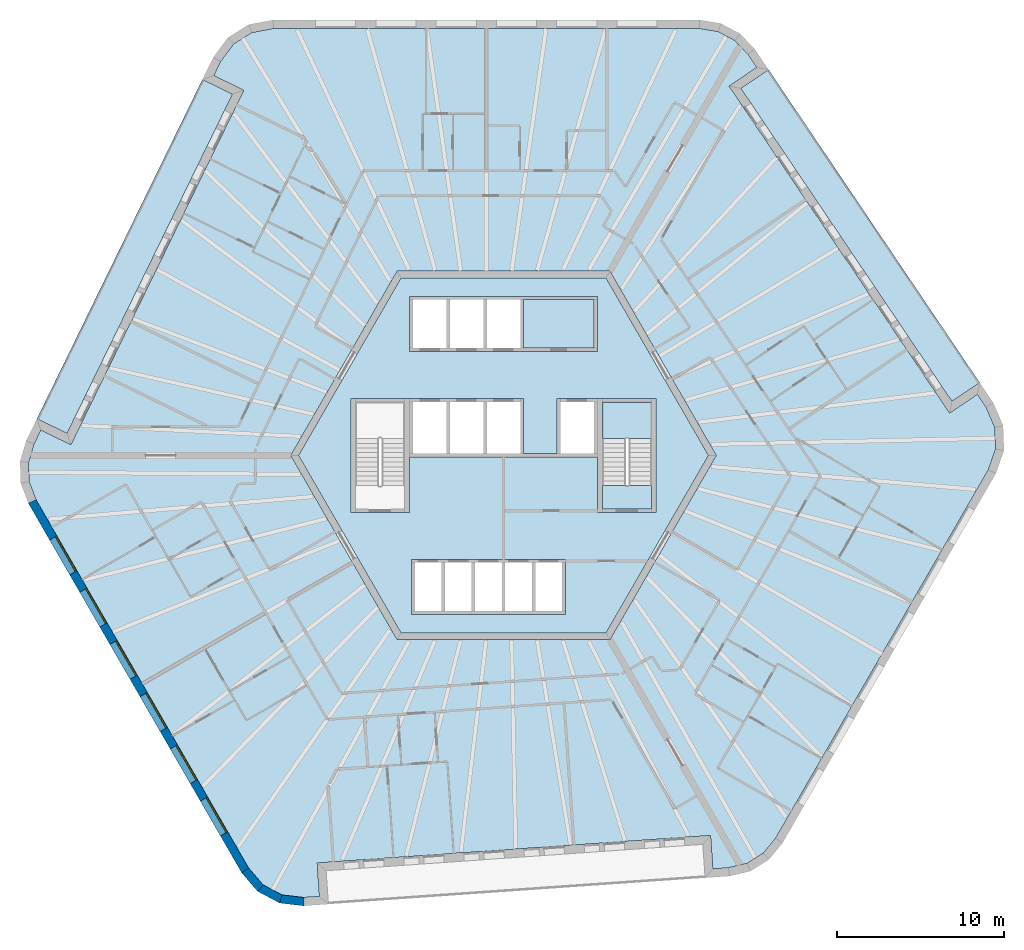
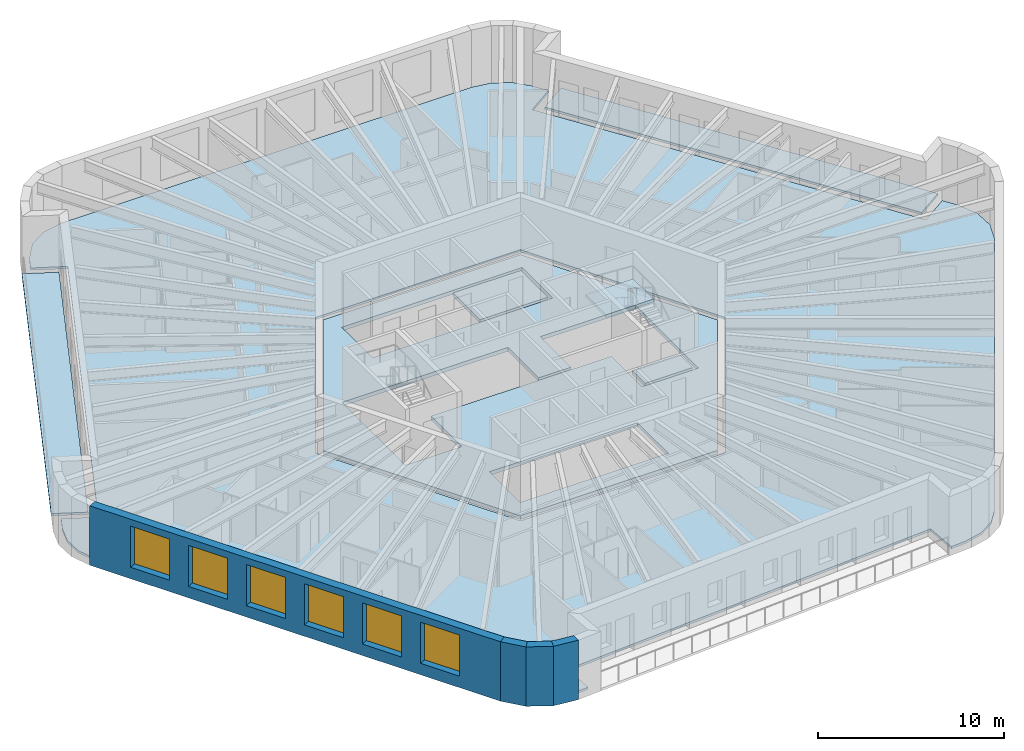
# One storey, part 2 of 12: 7 slabs, 6 windows, 4 walls, 6 openings, 1 element without a shape of its own.
"""IFC4 building model written with IfcOpenShell, lengths in metres."""

from ifc_helpers import new_model, si_unit, direction, frame, frame_2d, origin, place, context, subcontext, project, spatial, polyline, rectangle, outline, extrude, material, layer, layer_set, type_object, element, fill, aggregate, save


model = new_model("IFC4")

# Units and contexts
model_context = context("Model", 3, precision=1e-05, world=origin(), true_north=direction((0.0, 1.0)))
body_context = subcontext(model_context, "Body", "Model", "MODEL_VIEW")
ifc_project = project(units=[si_unit("LENGTHUNIT", "METRE"), si_unit("AREAUNIT", "SQUARE_METRE"), si_unit("VOLUMEUNIT", "CUBIC_METRE"), si_unit("PLANEANGLEUNIT", "RADIAN"), si_unit("MASSUNIT", "GRAM", prefix="KILO")], contexts=[model_context])

# Site, building, storey
site_placement = place(None, origin())
site = spatial("IfcSite", under=ifc_project, at=site_placement, CompositionType="ELEMENT")
building_placement = place(site_placement, origin())
building = spatial("IfcBuilding", under=site, at=building_placement, Name="Tarnside Tower", CompositionType="ELEMENT")
storey_placement = place(building_placement, frame((0.0, 0.0, 299.10009765625)))
storey = spatial("IfcBuildingStorey", under=building, at=storey_placement, Name="L72", CompositionType="ELEMENT", Elevation=299.10009765625)

# Slabs
ifc_material_1 = material(Name="Concrete C35/45", Category="concrete")
ifc_layer_1 = layer(ifc_material_1, 0.14990234375)
ifc_layer_set_1 = layer_set([ifc_layer_1], Name="Composite floor slab 150")
slab_type_1 = type_object("IfcSlabType", Name="Composite floor slab 150", PredefinedType="FLOOR", material=ifc_layer_set_1)
slab_1_placement = place(storey_placement, frame((0.0, 0.0, -0.150146484375)))
element("IfcSlab", 1, at=slab_1_placement, inside=storey, type_object=slab_type_1, Name="Floor slab L72", PredefinedType="FLOOR", context=body_context, shape_type="SweptSolid", body=[
    extrude(outline(polyline([(12.81689453125, 25.312744140625), (13.818115234375, 24.7802734375), (14.610595703125, 23.940185546875), (15.130615234375, 23.169677734375), (13.472412109375, 22.05126953125), (26.638427734375, 2.53173828125), (28.29638671875, 3.650146484375), (28.814697265625, 2.8818359375), (29.336669921875, 1.671875), (29.3818359375, 0.378662109375), (28.945556640625, -0.864990234375), (16.2451171875, -22.86279296875), (15.51318359375, -23.756103515625), (14.55126953125, -24.35693359375), (13.427490234375, -24.623291015625), (12.500244140625, -24.688232421875), (12.360595703125, -22.693115234375), (-11.126708984375, -24.33544921875), (-10.9873046875, -26.33056640625), (-11.91162109375, -26.395263671875), (-13.220458984375, -26.2421875), (-14.363037109375, -25.634765625), (-15.2216796875, -24.635009765625), (-27.922119140625, -2.63720703125), (-28.329833984375, -1.556640625), (-28.369384765625, -0.42333984375), (-28.0380859375, 0.68310546875), (-27.630615234375, 1.5185546875), (-25.8330078125, 0.641845703125), (-15.51171875, 21.8037109375), (-17.309326171875, 22.680419921875), (-16.903076171875, 23.51318359375), (-16.1162109375, 24.5703125), (-15.018798828125, 25.256103515625), (-13.723876953125, 25.5), (11.67724609375, 25.5), (12.81689453125, 25.312744140625)]), holes=[polyline([(-12.70166015625, 0.0), (-6.350830078125, -11.0), (6.350830078125, -11.0), (12.70166015625, 0.0), (6.350830078125, 11.0), (-6.350830078125, 11.0), (-12.70166015625, 0.0)])]), origin(), (0.0, 0.0, 1.0), 0.150146484375),
])
ifc_material_2 = material(Name="Concrete C40/50", Category="concrete")
ifc_layer_2 = layer(ifc_material_2, 0.25)
ifc_layer_set_2 = layer_set([ifc_layer_2], Name="Core slab C40/50")
slab_type_2 = type_object("IfcSlabType", Name="Core slab C40/50", PredefinedType="FLOOR", material=ifc_layer_set_2)
slab_2_placement = place(storey_placement, frame((0.0, 0.0, -0.25)))
element("IfcSlab", 2, at=slab_2_placement, inside=storey, type_object=slab_type_2, Name="L72 core floor slab 1", PredefinedType="FLOOR", context=body_context, shape_type="SweptSolid", body=[
    extrude(outline(polyline([(6.119873046875, 10.60009765625), (12.23974609375, 0.0), (6.119873046875, -10.60009765625), (-6.119873046875, -10.60009765625), (-12.23974609375, 0.0), (-6.119873046875, 10.60009765625), (6.119873046875, 10.60009765625)]), holes=[polyline([(-5.5, -9.5), (3.699951171875, -9.5), (3.699951171875, -9.300048828125), (3.699951171875, -6.39990234375), (3.699951171875, -6.199951171875), (-5.5, -6.199951171875), (-5.5, -6.39990234375), (-5.5, -9.300048828125), (-5.5, -9.5)]), polyline([(-5.60009765625, -3.39990234375), (-5.60009765625, -0.10009765625), (5.60009765625, -0.10009765625), (5.60009765625, -3.39990234375), (5.89990234375, -3.39990234375), (8.85009765625, -3.39990234375), (9.10009765625, -3.39990234375), (9.10009765625, 3.39990234375), (8.85009765625, 3.39990234375), (5.89990234375, 3.39990234375), (5.60009765625, 3.39990234375), (3.39990234375, 3.39990234375), (3.199951171875, 3.39990234375), (3.199951171875, 0.10009765625), (1.199951171875, 0.10009765625), (1.199951171875, 3.39990234375), (1.0, 3.39990234375), (-5.60009765625, 3.39990234375), (-5.89990234375, 3.39990234375), (-8.85009765625, 3.39990234375), (-9.10009765625, 3.39990234375), (-9.10009765625, -3.39990234375), (-8.85009765625, -3.39990234375), (-5.89990234375, -3.39990234375), (-5.60009765625, -3.39990234375)]), polyline([(-5.60009765625, 6.199951171875), (5.60009765625, 6.199951171875), (5.60009765625, 6.39990234375), (5.60009765625, 9.300048828125), (5.60009765625, 9.5), (-5.60009765625, 9.5), (-5.60009765625, 9.300048828125), (-5.60009765625, 6.39990234375), (-5.60009765625, 6.199951171875)])]), origin(), (0.0, 0.0, 1.0), 0.25),
])
slab_3_placement = place(storey_placement, frame((0.0, 0.0, -0.25)))
element("IfcSlab", 3, at=slab_3_placement, inside=storey, type_object=slab_type_2, Name="L72 core floor slab 3", PredefinedType="FLOOR", context=body_context, shape_type="SweptSolid", body=[
    extrude(outline(polyline([(5.89990234375, -1.800048828125), (8.85009765625, -1.800048828125), (8.85009765625, -3.199951171875), (5.89990234375, -3.199951171875), (5.89990234375, -1.800048828125)])), origin(), (0.0, 0.0, 1.0), 0.25),
])
slab_4_placement = place(storey_placement, frame((0.0, 0.0, -0.25)))
element("IfcSlab", 4, at=slab_4_placement, inside=storey, type_object=slab_type_2, Name="L72 core floor slab 4", PredefinedType="FLOOR", context=body_context, shape_type="SweptSolid", body=[
    extrude(outline(polyline([(5.39990234375, 6.39990234375), (1.199951171875, 6.39990234375), (1.199951171875, 9.300048828125), (5.39990234375, 9.300048828125), (5.39990234375, 6.39990234375)])), origin(), (0.0, 0.0, 1.0), 0.25),
])
ifc_material_3 = material(Name="Timber decking", Category="wood")
ifc_layer_3 = layer(ifc_material_3, 0.0400390625)
ifc_material_4 = material(Name="Concrete C60/75 precast", Category="concrete")
ifc_layer_4 = layer(ifc_material_4, 0.110107421875)
ifc_layer_set_3 = layer_set([ifc_layer_3, ifc_layer_4], Name="Loggia deck 150")
slab_type_3 = type_object("IfcSlabType", Name="Loggia deck 150", PredefinedType="FLOOR", material=ifc_layer_set_3)
slab_5_placement = place(storey_placement, frame((0.0, 0.0, -0.150146484375)))
element("IfcSlab", 5, at=slab_5_placement, inside=storey, type_object=slab_type_3, Name="Loggia deck L72 F2", PredefinedType="FLOOR", context=body_context, shape_type="SweptSolid", body=[
    extrude(outline(polyline([(-16.180419921875, 21.573486328125), (-26.063232421875, 1.310302734375), (-27.86083984375, 2.187255859375), (-17.97802734375, 22.4501953125), (-16.180419921875, 21.573486328125)])), origin(), (0.0, 0.0, 1.0), 0.150146484375),
])
slab_6_placement = place(storey_placement, frame((0.0, 0.0, -0.150146484375)))
element("IfcSlab", 6, at=slab_6_placement, inside=storey, type_object=slab_type_3, Name="Loggia deck L72 F6", PredefinedType="FLOOR", context=body_context, shape_type="SweptSolid", body=[
    extrude(outline(polyline([(26.7734375, 3.225830078125), (14.16650390625, 21.916259765625), (15.82470703125, 23.03466796875), (28.431396484375, 4.34423828125), (26.7734375, 3.225830078125)])), origin(), (0.0, 0.0, 1.0), 0.150146484375),
])

# Stair, slab
stair_type = type_object("IfcStairType", Name="Exit stair 1400 clear", PredefinedType="HALF_TURN_STAIR", material=ifc_material_2)
stair_placement = place(storey_placement, origin())
stair = element("IfcStair", 7, at=stair_placement, inside=storey, type_object=stair_type, Name="L72 Exit stair 1", PredefinedType="HALF_TURN_STAIR")
ifc_layer_5 = layer(ifc_material_2, 0.199951171875)
ifc_layer_set_4 = layer_set([ifc_layer_5], Name="Stair landing 200 C40/50")
slab_type_4 = type_object("IfcSlabType", Name="Stair landing 200 C40/50", PredefinedType="LANDING", material=ifc_layer_set_4)
slab_7_placement = place(storey_placement, frame((0.0, 0.0, 1.75)))
slab_7 = element("IfcSlab", 8, at=slab_7_placement, type_object=slab_type_4, Name="ST1 landing 1", PredefinedType="LANDING", context=body_context, shape_type="SweptSolid", body=[
    extrude(outline(polyline([(8.85009765625, 1.0), (8.85009765625, 3.199951171875), (5.89990234375, 3.199951171875), (5.89990234375, 1.0), (8.85009765625, 1.0)])), origin(), (0.0, 0.0, 1.0), 0.199951171875),
])
aggregate(stair, [slab_7])

# Wall, openings, windows
ifc_material_5 = material(Name="Facing brick", Category="masonry")
ifc_layer_6 = layer(ifc_material_5, 0.10205078125)
ifc_layer_7 = layer(ifc_material_4, 0.298095703125)
ifc_material_6 = material(Name="Mineral wool insulation")
ifc_layer_8 = layer(ifc_material_6, 0.10009765625)
ifc_layer_set_5 = layer_set([ifc_layer_6, ifc_layer_7, ifc_layer_8], Name="Tube wall 500 brick faced")
wall_type = type_object("IfcWallType", Name="Tube wall 500 brick faced", PredefinedType="SOLIDWALL", material=ifc_layer_set_5)
wall_1_placement = place(storey_placement, frame((-28.14892578125, -2.74462890625, -0.150146484375), z_axis=(0.0, 0.0, 1.0), x_axis=(0.500003737743, -0.866023245787, 0.0)))
wall_1 = element("IfcWall", 9, at=wall_1_placement, inside=storey, type_object=wall_type, Name="Tube wall L72 F3 flush 12", PredefinedType="SOLIDWALL", context=body_context, shape_type="SweptSolid", body=[
    extrude(outline(polyline([(-0.0205078125, -0.25), (25.468017578125, -0.25), (25.421142578125, 0.25), (0.0205078125, 0.25), (-0.0205078125, -0.25)])), origin(), (0.0, 0.0, 1.0), 3.900146484375),
])
opening_1_placement = place(wall_1_placement, frame((2.5224609375, 0.0, 0.75)))
opening_1 = element("IfcOpeningElement", 10, at=opening_1_placement, cuts=wall_1, Name="Opening WR", PredefinedType="OPENING", context=body_context, shape_type="SweptSolid", body=[
    extrude(rectangle(XDim=2.39990234375, YDim=2.699951171875, at=frame_2d((1.199951171875, 1.35009765625))), frame((0.0, 0.260009765625, 0.0), z_axis=(0.0, -1.0, 0.0), x_axis=(1.0, 0.0, 0.0)), (0.0, 0.0, 1.0), 0.52001953125),
])
opening_2_placement = place(wall_1_placement, frame((6.122314453125, 0.0, 0.75)))
opening_2 = element("IfcOpeningElement", 11, at=opening_2_placement, cuts=wall_1, Name="Opening WR", PredefinedType="OPENING", context=body_context, shape_type="SweptSolid", body=[
    extrude(rectangle(XDim=2.39990234375, YDim=2.699951171875, at=frame_2d((1.199951171875, 1.35009765625))), frame((0.0, 0.260009765625, 0.0), z_axis=(0.0, -1.0, 0.0), x_axis=(1.0, 0.0, 0.0)), (0.0, 0.0, 1.0), 0.52001953125),
])
opening_3_placement = place(wall_1_placement, frame((9.722412109375, 0.0, 0.75)))
opening_3 = element("IfcOpeningElement", 12, at=opening_3_placement, cuts=wall_1, Name="Opening WR", PredefinedType="OPENING", context=body_context, shape_type="SweptSolid", body=[
    extrude(rectangle(XDim=2.39990234375, YDim=2.699951171875, at=frame_2d((1.199951171875, 1.35009765625))), frame((0.0, 0.260009765625, 0.0), z_axis=(0.0, -1.0, 0.0), x_axis=(1.0, 0.0, 0.0)), (0.0, 0.0, 1.0), 0.52001953125),
])
opening_4_placement = place(wall_1_placement, frame((13.322509765625, 0.0, 0.75)))
opening_4 = element("IfcOpeningElement", 13, at=opening_4_placement, cuts=wall_1, Name="Opening WR", PredefinedType="OPENING", context=body_context, shape_type="SweptSolid", body=[
    extrude(rectangle(XDim=2.39990234375, YDim=2.699951171875, at=frame_2d((1.199951171875, 1.35009765625))), frame((0.0, 0.260009765625, 0.0), z_axis=(0.0, -1.0, 0.0), x_axis=(1.0, 0.0, 0.0)), (0.0, 0.0, 1.0), 0.52001953125),
])
opening_5_placement = place(wall_1_placement, frame((16.92236328125, 0.0, 0.75)))
opening_5 = element("IfcOpeningElement", 14, at=opening_5_placement, cuts=wall_1, Name="Opening WR", PredefinedType="OPENING", context=body_context, shape_type="SweptSolid", body=[
    extrude(rectangle(XDim=2.39990234375, YDim=2.699951171875, at=frame_2d((1.199951171875, 1.35009765625))), frame((0.0, 0.260009765625, 0.0), z_axis=(0.0, -1.0, 0.0), x_axis=(1.0, 0.0, 0.0)), (0.0, 0.0, 1.0), 0.52001953125),
])
opening_6_placement = place(wall_1_placement, frame((20.5224609375, 0.0, 0.75)))
opening_6 = element("IfcOpeningElement", 15, at=opening_6_placement, cuts=wall_1, Name="Opening WR", PredefinedType="OPENING", context=body_context, shape_type="SweptSolid", body=[
    extrude(rectangle(XDim=2.39990234375, YDim=2.699951171875, at=frame_2d((1.199951171875, 1.35009765625))), frame((0.0, 0.260009765625, 0.0), z_axis=(0.0, -1.0, 0.0), x_axis=(1.0, 0.0, 0.0)), (0.0, 0.0, 1.0), 0.52001953125),
])
ifc_material_7 = material(Name="Aluminium-framed double glazing", Category="aluminium")
window_type = type_object("IfcWindowType", Name="Residence window 2400 x 2700", PartitioningType="DOUBLE_PANEL_VERTICAL", PredefinedType="WINDOW", material=ifc_material_7)
window_1_placement = place(opening_1_placement, frame((0.0, 0.179931640625, 0.0)))
window_1 = element("IfcWindow", 16, at=window_1_placement, inside=storey, type_object=window_type, Name="E.WN.L72.F3.00", OverallHeight=2.699951171875, OverallWidth=2.39990234375, PartitioningType="DOUBLE_PANEL_VERTICAL", PredefinedType="WINDOW", context=body_context, shape_type="SweptSolid", body=[
    extrude(rectangle(XDim=2.39990234375, YDim=2.699951171875, at=frame_2d((1.199951171875, 1.35009765625))), frame((0.0, 0.030029296875, 0.0), z_axis=(0.0, -1.0, 0.0), x_axis=(1.0, 0.0, 0.0)), (0.0, 0.0, 1.0), 0.06005859375),
])
fill(opening_1, window_1)
window_2_placement = place(opening_2_placement, frame((0.0, 0.179931640625, 0.0)))
window_2 = element("IfcWindow", 17, at=window_2_placement, inside=storey, type_object=window_type, Name="E.WN.L72.F3.01", OverallHeight=2.699951171875, OverallWidth=2.39990234375, PartitioningType="DOUBLE_PANEL_VERTICAL", PredefinedType="WINDOW", context=body_context, shape_type="SweptSolid", body=[
    extrude(rectangle(XDim=2.39990234375, YDim=2.699951171875, at=frame_2d((1.199951171875, 1.35009765625))), frame((0.0, 0.030029296875, 0.0), z_axis=(0.0, -1.0, 0.0), x_axis=(1.0, 0.0, 0.0)), (0.0, 0.0, 1.0), 0.06005859375),
])
fill(opening_2, window_2)
window_3_placement = place(opening_3_placement, frame((0.0, 0.179931640625, 0.0)))
window_3 = element("IfcWindow", 18, at=window_3_placement, inside=storey, type_object=window_type, Name="E.WN.L72.F3.02", OverallHeight=2.699951171875, OverallWidth=2.39990234375, PartitioningType="DOUBLE_PANEL_VERTICAL", PredefinedType="WINDOW", context=body_context, shape_type="SweptSolid", body=[
    extrude(rectangle(XDim=2.39990234375, YDim=2.699951171875, at=frame_2d((1.199951171875, 1.35009765625))), frame((0.0, 0.030029296875, 0.0), z_axis=(0.0, -1.0, 0.0), x_axis=(1.0, 0.0, 0.0)), (0.0, 0.0, 1.0), 0.06005859375),
])
fill(opening_3, window_3)
window_4_placement = place(opening_4_placement, frame((0.0, 0.179931640625, 0.0)))
window_4 = element("IfcWindow", 19, at=window_4_placement, inside=storey, type_object=window_type, Name="E.WN.L72.F3.03", OverallHeight=2.699951171875, OverallWidth=2.39990234375, PartitioningType="DOUBLE_PANEL_VERTICAL", PredefinedType="WINDOW", context=body_context, shape_type="SweptSolid", body=[
    extrude(rectangle(XDim=2.39990234375, YDim=2.699951171875, at=frame_2d((1.199951171875, 1.35009765625))), frame((0.0, 0.030029296875, 0.0), z_axis=(0.0, -1.0, 0.0), x_axis=(1.0, 0.0, 0.0)), (0.0, 0.0, 1.0), 0.06005859375),
])
fill(opening_4, window_4)
window_5_placement = place(opening_5_placement, frame((0.0, 0.179931640625, 0.0)))
window_5 = element("IfcWindow", 20, at=window_5_placement, inside=storey, type_object=window_type, Name="E.WN.L72.F3.04", OverallHeight=2.699951171875, OverallWidth=2.39990234375, PartitioningType="DOUBLE_PANEL_VERTICAL", PredefinedType="WINDOW", context=body_context, shape_type="SweptSolid", body=[
    extrude(rectangle(XDim=2.39990234375, YDim=2.699951171875, at=frame_2d((1.199951171875, 1.35009765625))), frame((0.0, 0.030029296875, 0.0), z_axis=(0.0, -1.0, 0.0), x_axis=(1.0, 0.0, 0.0)), (0.0, 0.0, 1.0), 0.06005859375),
])
fill(opening_5, window_5)
window_6_placement = place(opening_6_placement, frame((0.0, 0.179931640625, 0.0)))
window_6 = element("IfcWindow", 21, at=window_6_placement, inside=storey, type_object=window_type, Name="E.WN.L72.F3.05", OverallHeight=2.699951171875, OverallWidth=2.39990234375, PartitioningType="DOUBLE_PANEL_VERTICAL", PredefinedType="WINDOW", context=body_context, shape_type="SweptSolid", body=[
    extrude(rectangle(XDim=2.39990234375, YDim=2.699951171875, at=frame_2d((1.199951171875, 1.35009765625))), frame((0.0, 0.030029296875, 0.0), z_axis=(0.0, -1.0, 0.0), x_axis=(1.0, 0.0, 0.0)), (0.0, 0.0, 1.0), 0.06005859375),
])
fill(opening_6, window_6)

# Walls
wall_2_placement = place(storey_placement, frame((-15.426513671875, -24.7802734375, -0.150146484375), z_axis=(0.0, 0.0, 1.0), x_axis=(0.651616566281, -0.758548515619, 0.0)))
element("IfcWall", 22, at=wall_2_placement, inside=storey, type_object=wall_type, Name="Tube wall L72 F3 chord 13", PredefinedType="SOLIDWALL", context=body_context, shape_type="SweptSolid", body=[
    extrude(outline(polyline([(-0.0234375, -0.25), (1.435302734375, -0.25), (1.341064453125, 0.25), (0.0234375, 0.25), (-0.0234375, -0.25)])), origin(), (0.0, 0.0, 1.0), 3.900146484375),
])
wall_3_placement = place(storey_placement, frame((-14.52197265625, -25.833251953125, -0.150146484375), z_axis=(0.0, 0.0, 1.0), x_axis=(0.882926676147, -0.469510899286, 0.0)))
element("IfcWall", 23, at=wall_3_placement, inside=storey, type_object=wall_type, Name="Tube wall L72 F3 chord 14", PredefinedType="SOLIDWALL", context=body_context, shape_type="SweptSolid", body=[
    extrude(outline(polyline([(-0.047119140625, -0.25), (1.435546875, -0.25), (1.34130859375, 0.25), (0.047119140625, 0.25), (-0.047119140625, -0.25)])), origin(), (0.0, 0.0, 1.0), 3.900146484375),
])
wall_4_placement = place(storey_placement, frame((-13.296142578125, -26.485107421875, -0.150146484375), z_axis=(0.0, 0.0, 1.0), x_axis=(0.993239161627, -0.116086036245, 0.0)))
element("IfcWall", 24, at=wall_4_placement, inside=storey, type_object=wall_type, Name="Tube wall L72 F3 chord 15", PredefinedType="SOLIDWALL", context=body_context, shape_type="SweptSolid", body=[
    extrude(outline(polyline([(-0.047119140625, -0.25), (1.411376953125, -0.25), (1.364501953125, 0.25), (0.047119140625, 0.25), (-0.047119140625, -0.25)])), origin(), (0.0, 0.0, 1.0), 3.900146484375),
])

save(model, "model.ifc")
